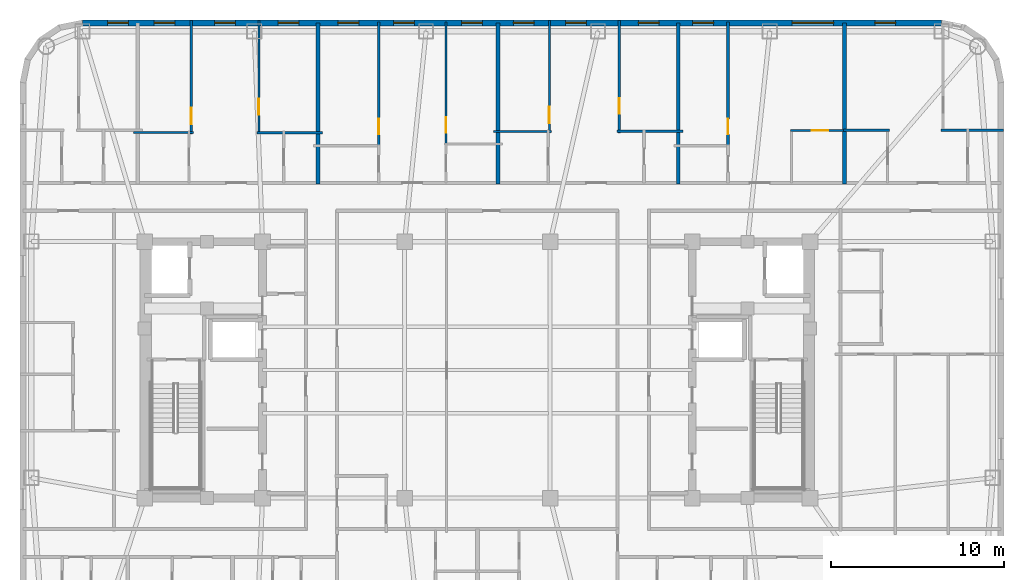
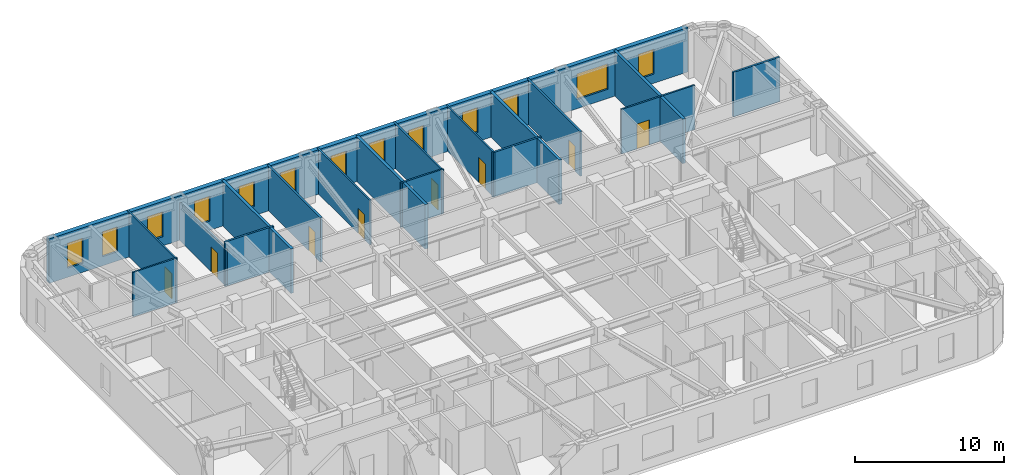
# One storey, part 8 of 11: 19 walls, 13 windows, 8 doors, 21 openings.
"""IFC4 building model written with IfcOpenShell, lengths in metres."""

from ifc_helpers import new_model, si_unit, direction, frame, frame_2d, origin, place, context, subcontext, project, spatial, rectangle, extrude, material, layer, layer_set, type_object, element, fill, save


model = new_model("IFC4")

# Units and contexts
model_context = context("Model", 3, precision=1e-05, world=origin(), true_north=direction((0.0, 1.0)))
body_context = subcontext(model_context, "Body", "Model", "MODEL_VIEW")
ifc_project = project(units=[si_unit("LENGTHUNIT", "METRE"), si_unit("AREAUNIT", "SQUARE_METRE"), si_unit("VOLUMEUNIT", "CUBIC_METRE"), si_unit("PLANEANGLEUNIT", "RADIAN"), si_unit("MASSUNIT", "GRAM", prefix="KILO")], contexts=[model_context])

# Site, building, storey
site_placement = place(None, origin())
site = spatial("IfcSite", under=ifc_project, at=site_placement, CompositionType="ELEMENT")
building_placement = place(site_placement, origin())
building = spatial("IfcBuilding", under=site, at=building_placement, Name="Voryun Gate Residences", CompositionType="ELEMENT")
storey_placement = place(building_placement, frame((0.0, 0.0, 223.60009765625)))
storey = spatial("IfcBuildingStorey", under=building, at=storey_placement, Name="L55", CompositionType="ELEMENT", Elevation=223.60009765625)

# Wall, openings, windows
ifc_material_1 = material(Name="Charcoal terracotta masonry", Category="masonry")
ifc_layer_1 = layer(ifc_material_1, 0.340087890625, Name="W_EXT_TERRACOTTA_340")
ifc_layer_set_1 = layer_set([ifc_layer_1], Name="Charcoal terracotta masonry")
wall_type_1 = type_object("IfcWallType", Name="W_EXT_TERRACOTTA_340", PredefinedType="ELEMENTEDWALL", material=ifc_layer_set_1)
wall_1_placement = place(storey_placement, frame((-22.783203125, 20.030029296875, 0.0), z_axis=(0.0, 0.0, 1.0), x_axis=(1.0, 0.0, 0.0)))
wall_1 = element("IfcWall", 1, at=wall_1_placement, inside=storey, type_object=wall_type_1, Name="Exterior wall WEXT-L55-11", PredefinedType="ELEMENTEDWALL", context=body_context, shape_type="SweptSolid", body=[
    extrude(rectangle(XDim=49.56640625, YDim=0.340087890625, at=frame_2d((24.783203125, 0.0))), origin(), (0.0, 0.0, 1.0), 3.64990234375),
])
opening_1_placement = place(wall_1_placement, frame((40.95556640625, 0.0, 0.75)))
opening_1 = element("IfcOpeningElement", 2, at=opening_1_placement, cuts=wall_1, Name="Opening WN2", PredefinedType="OPENING", context=body_context, shape_type="SweptSolid", body=[
    extrude(rectangle(XDim=2.39990234375, YDim=2.10009765625, at=frame_2d((1.199951171875, 1.050048828125))), frame((0.0, 0.179931640625, 0.0), z_axis=(0.0, -1.0, 0.0), x_axis=(1.0, 0.0, 0.0)), (0.0, 0.0, 1.0), 0.360107421875),
])
opening_2_placement = place(wall_1_placement, frame((1.4365234375, 0.0, 0.75)))
opening_2 = element("IfcOpeningElement", 3, at=opening_2_placement, cuts=wall_1, Name="Opening WN6", PredefinedType="OPENING", context=body_context, shape_type="SweptSolid", body=[
    extrude(rectangle(XDim=1.199951171875, YDim=2.050048828125, at=frame_2d((0.60009765625, 1.02490234375))), frame((0.0, 0.179931640625, 0.0), z_axis=(0.0, -1.0, 0.0), x_axis=(1.0, 0.0, 0.0)), (0.0, 0.0, 1.0), 0.360107421875),
])
opening_3_placement = place(wall_1_placement, frame((7.619384765625, 0.0, 0.75)))
opening_3 = element("IfcOpeningElement", 4, at=opening_3_placement, cuts=wall_1, Name="Opening WN6", PredefinedType="OPENING", context=body_context, shape_type="SweptSolid", body=[
    extrude(rectangle(XDim=1.199951171875, YDim=2.050048828125, at=frame_2d((0.60009765625, 1.02490234375))), frame((0.0, 0.179931640625, 0.0), z_axis=(0.0, -1.0, 0.0), x_axis=(1.0, 0.0, 0.0)), (0.0, 0.0, 1.0), 0.360107421875),
])
opening_4_placement = place(wall_1_placement, frame((4.124267578125, 0.0, 0.75)))
opening_4 = element("IfcOpeningElement", 5, at=opening_4_placement, cuts=wall_1, Name="Opening WN6", PredefinedType="OPENING", context=body_context, shape_type="SweptSolid", body=[
    extrude(rectangle(XDim=1.199951171875, YDim=2.050048828125, at=frame_2d((0.60009765625, 1.02490234375))), frame((0.0, 0.179931640625, 0.0), z_axis=(0.0, -1.0, 0.0), x_axis=(1.0, 0.0, 0.0)), (0.0, 0.0, 1.0), 0.360107421875),
])
opening_5_placement = place(wall_1_placement, frame((11.2783203125, 0.0, 0.75)))
opening_5 = element("IfcOpeningElement", 6, at=opening_5_placement, cuts=wall_1, Name="Opening WN6", PredefinedType="OPENING", context=body_context, shape_type="SweptSolid", body=[
    extrude(rectangle(XDim=1.199951171875, YDim=2.050048828125, at=frame_2d((0.60009765625, 1.02490234375))), frame((0.0, 0.179931640625, 0.0), z_axis=(0.0, -1.0, 0.0), x_axis=(1.0, 0.0, 0.0)), (0.0, 0.0, 1.0), 0.360107421875),
])
opening_6_placement = place(wall_1_placement, frame((17.953369140625, 0.0, 0.75)))
opening_6 = element("IfcOpeningElement", 7, at=opening_6_placement, cuts=wall_1, Name="Opening WN6", PredefinedType="OPENING", context=body_context, shape_type="SweptSolid", body=[
    extrude(rectangle(XDim=1.199951171875, YDim=2.050048828125, at=frame_2d((0.60009765625, 1.02490234375))), frame((0.0, 0.179931640625, 0.0), z_axis=(0.0, -1.0, 0.0), x_axis=(1.0, 0.0, 0.0)), (0.0, 0.0, 1.0), 0.360107421875),
])
opening_7_placement = place(wall_1_placement, frame((14.73828125, 0.0, 0.75)))
opening_7 = element("IfcOpeningElement", 8, at=opening_7_placement, cuts=wall_1, Name="Opening WN6", PredefinedType="OPENING", context=body_context, shape_type="SweptSolid", body=[
    extrude(rectangle(XDim=1.199951171875, YDim=2.050048828125, at=frame_2d((0.60009765625, 1.02490234375))), frame((0.0, 0.179931640625, 0.0), z_axis=(0.0, -1.0, 0.0), x_axis=(1.0, 0.0, 0.0)), (0.0, 0.0, 1.0), 0.360107421875),
])
opening_8_placement = place(wall_1_placement, frame((21.87841796875, 0.0, 0.75)))
opening_8 = element("IfcOpeningElement", 9, at=opening_8_placement, cuts=wall_1, Name="Opening WN6", PredefinedType="OPENING", context=body_context, shape_type="SweptSolid", body=[
    extrude(rectangle(XDim=1.199951171875, YDim=2.050048828125, at=frame_2d((0.60009765625, 1.02490234375))), frame((0.0, 0.179931640625, 0.0), z_axis=(0.0, -1.0, 0.0), x_axis=(1.0, 0.0, 0.0)), (0.0, 0.0, 1.0), 0.360107421875),
])
opening_9_placement = place(wall_1_placement, frame((27.877685546875, 0.0, 0.75)))
opening_9 = element("IfcOpeningElement", 10, at=opening_9_placement, cuts=wall_1, Name="Opening WN6", PredefinedType="OPENING", context=body_context, shape_type="SweptSolid", body=[
    extrude(rectangle(XDim=1.199951171875, YDim=2.050048828125, at=frame_2d((0.60009765625, 1.02490234375))), frame((0.0, 0.179931640625, 0.0), z_axis=(0.0, -1.0, 0.0), x_axis=(1.0, 0.0, 0.0)), (0.0, 0.0, 1.0), 0.360107421875),
])
opening_10_placement = place(wall_1_placement, frame((24.86279296875, 0.0, 0.75)))
opening_10 = element("IfcOpeningElement", 11, at=opening_10_placement, cuts=wall_1, Name="Opening WN6", PredefinedType="OPENING", context=body_context, shape_type="SweptSolid", body=[
    extrude(rectangle(XDim=1.199951171875, YDim=2.050048828125, at=frame_2d((0.60009765625, 1.02490234375))), frame((0.0, 0.179931640625, 0.0), z_axis=(0.0, -1.0, 0.0), x_axis=(1.0, 0.0, 0.0)), (0.0, 0.0, 1.0), 0.360107421875),
])
opening_11_placement = place(wall_1_placement, frame((32.078369140625, 0.0, 0.75)))
opening_11 = element("IfcOpeningElement", 12, at=opening_11_placement, cuts=wall_1, Name="Opening WN6", PredefinedType="OPENING", context=body_context, shape_type="SweptSolid", body=[
    extrude(rectangle(XDim=1.199951171875, YDim=2.050048828125, at=frame_2d((0.60009765625, 1.02490234375))), frame((0.0, 0.179931640625, 0.0), z_axis=(0.0, -1.0, 0.0), x_axis=(1.0, 0.0, 0.0)), (0.0, 0.0, 1.0), 0.360107421875),
])
opening_12_placement = place(wall_1_placement, frame((35.21630859375, 0.0, 0.75)))
opening_12 = element("IfcOpeningElement", 13, at=opening_12_placement, cuts=wall_1, Name="Opening WN6", PredefinedType="OPENING", context=body_context, shape_type="SweptSolid", body=[
    extrude(rectangle(XDim=1.199951171875, YDim=2.050048828125, at=frame_2d((0.60009765625, 1.02490234375))), frame((0.0, 0.179931640625, 0.0), z_axis=(0.0, -1.0, 0.0), x_axis=(1.0, 0.0, 0.0)), (0.0, 0.0, 1.0), 0.360107421875),
])
opening_13_placement = place(wall_1_placement, frame((45.72998046875, 0.0, 0.75)))
opening_13 = element("IfcOpeningElement", 14, at=opening_13_placement, cuts=wall_1, Name="Opening WN6", PredefinedType="OPENING", context=body_context, shape_type="SweptSolid", body=[
    extrude(rectangle(XDim=1.199951171875, YDim=2.050048828125, at=frame_2d((0.60009765625, 1.02490234375))), frame((0.0, 0.179931640625, 0.0), z_axis=(0.0, -1.0, 0.0), x_axis=(1.0, 0.0, 0.0)), (0.0, 0.0, 1.0), 0.360107421875),
])
ifc_material_2 = material(Name="Laminated low-E glass", Category="glass")
window_type_1 = type_object("IfcWindowType", Name="WN_POD_SLOT_1200", PartitioningType="SINGLE_PANEL", PredefinedType="WINDOW", material=ifc_material_2)
window_1_placement = place(opening_2_placement, origin())
window_1 = element("IfcWindow", 15, at=window_1_placement, inside=storey, type_object=window_type_1, Name="Window WN-L55-DWFIX-02", OverallHeight=2.050048828125, OverallWidth=1.199951171875, PartitioningType="SINGLE_PANEL", PredefinedType="WINDOW", context=body_context, shape_type="SweptSolid", body=[
    extrude(rectangle(XDim=1.199951171875, YDim=2.050048828125, at=frame_2d((0.60009765625, 1.02490234375))), frame((0.0, 0.030029296875, 0.0), z_axis=(0.0, -1.0, 0.0), x_axis=(1.0, 0.0, 0.0)), (0.0, 0.0, 1.0), 0.06005859375),
])
fill(opening_2, window_1)
window_2_placement = place(opening_3_placement, origin())
window_2 = element("IfcWindow", 16, at=window_2_placement, inside=storey, type_object=window_type_1, Name="Window WN-L55-DWFIX-03", OverallHeight=2.050048828125, OverallWidth=1.199951171875, PartitioningType="SINGLE_PANEL", PredefinedType="WINDOW", context=body_context, shape_type="SweptSolid", body=[
    extrude(rectangle(XDim=1.199951171875, YDim=2.050048828125, at=frame_2d((0.60009765625, 1.02490234375))), frame((0.0, 0.030029296875, 0.0), z_axis=(0.0, -1.0, 0.0), x_axis=(1.0, 0.0, 0.0)), (0.0, 0.0, 1.0), 0.06005859375),
])
fill(opening_3, window_2)
window_3_placement = place(opening_4_placement, origin())
window_3 = element("IfcWindow", 17, at=window_3_placement, inside=storey, type_object=window_type_1, Name="Window WN-L55-DWFIX-04", OverallHeight=2.050048828125, OverallWidth=1.199951171875, PartitioningType="SINGLE_PANEL", PredefinedType="WINDOW", context=body_context, shape_type="SweptSolid", body=[
    extrude(rectangle(XDim=1.199951171875, YDim=2.050048828125, at=frame_2d((0.60009765625, 1.02490234375))), frame((0.0, 0.030029296875, 0.0), z_axis=(0.0, -1.0, 0.0), x_axis=(1.0, 0.0, 0.0)), (0.0, 0.0, 1.0), 0.06005859375),
])
fill(opening_4, window_3)
window_4_placement = place(opening_5_placement, origin())
window_4 = element("IfcWindow", 18, at=window_4_placement, inside=storey, type_object=window_type_1, Name="Window WN-L55-DWFIX-05", OverallHeight=2.050048828125, OverallWidth=1.199951171875, PartitioningType="SINGLE_PANEL", PredefinedType="WINDOW", context=body_context, shape_type="SweptSolid", body=[
    extrude(rectangle(XDim=1.199951171875, YDim=2.050048828125, at=frame_2d((0.60009765625, 1.02490234375))), frame((0.0, 0.030029296875, 0.0), z_axis=(0.0, -1.0, 0.0), x_axis=(1.0, 0.0, 0.0)), (0.0, 0.0, 1.0), 0.06005859375),
])
fill(opening_5, window_4)
window_5_placement = place(opening_6_placement, origin())
window_5 = element("IfcWindow", 19, at=window_5_placement, inside=storey, type_object=window_type_1, Name="Window WN-L55-DWFIX-06", OverallHeight=2.050048828125, OverallWidth=1.199951171875, PartitioningType="SINGLE_PANEL", PredefinedType="WINDOW", context=body_context, shape_type="SweptSolid", body=[
    extrude(rectangle(XDim=1.199951171875, YDim=2.050048828125, at=frame_2d((0.60009765625, 1.02490234375))), frame((0.0, 0.030029296875, 0.0), z_axis=(0.0, -1.0, 0.0), x_axis=(1.0, 0.0, 0.0)), (0.0, 0.0, 1.0), 0.06005859375),
])
fill(opening_6, window_5)
window_6_placement = place(opening_7_placement, origin())
window_6 = element("IfcWindow", 20, at=window_6_placement, inside=storey, type_object=window_type_1, Name="Window WN-L55-DWFIX-07", OverallHeight=2.050048828125, OverallWidth=1.199951171875, PartitioningType="SINGLE_PANEL", PredefinedType="WINDOW", context=body_context, shape_type="SweptSolid", body=[
    extrude(rectangle(XDim=1.199951171875, YDim=2.050048828125, at=frame_2d((0.60009765625, 1.02490234375))), frame((0.0, 0.030029296875, 0.0), z_axis=(0.0, -1.0, 0.0), x_axis=(1.0, 0.0, 0.0)), (0.0, 0.0, 1.0), 0.06005859375),
])
fill(opening_7, window_6)
window_7_placement = place(opening_8_placement, origin())
window_7 = element("IfcWindow", 21, at=window_7_placement, inside=storey, type_object=window_type_1, Name="Window WN-L55-DWFIX-08", OverallHeight=2.050048828125, OverallWidth=1.199951171875, PartitioningType="SINGLE_PANEL", PredefinedType="WINDOW", context=body_context, shape_type="SweptSolid", body=[
    extrude(rectangle(XDim=1.199951171875, YDim=2.050048828125, at=frame_2d((0.60009765625, 1.02490234375))), frame((0.0, 0.030029296875, 0.0), z_axis=(0.0, -1.0, 0.0), x_axis=(1.0, 0.0, 0.0)), (0.0, 0.0, 1.0), 0.06005859375),
])
fill(opening_8, window_7)
window_8_placement = place(opening_9_placement, origin())
window_8 = element("IfcWindow", 22, at=window_8_placement, inside=storey, type_object=window_type_1, Name="Window WN-L55-DWFIX-09", OverallHeight=2.050048828125, OverallWidth=1.199951171875, PartitioningType="SINGLE_PANEL", PredefinedType="WINDOW", context=body_context, shape_type="SweptSolid", body=[
    extrude(rectangle(XDim=1.199951171875, YDim=2.050048828125, at=frame_2d((0.60009765625, 1.02490234375))), frame((0.0, 0.030029296875, 0.0), z_axis=(0.0, -1.0, 0.0), x_axis=(1.0, 0.0, 0.0)), (0.0, 0.0, 1.0), 0.06005859375),
])
fill(opening_9, window_8)
window_9_placement = place(opening_10_placement, origin())
window_9 = element("IfcWindow", 23, at=window_9_placement, inside=storey, type_object=window_type_1, Name="Window WN-L55-DWFIX-10", OverallHeight=2.050048828125, OverallWidth=1.199951171875, PartitioningType="SINGLE_PANEL", PredefinedType="WINDOW", context=body_context, shape_type="SweptSolid", body=[
    extrude(rectangle(XDim=1.199951171875, YDim=2.050048828125, at=frame_2d((0.60009765625, 1.02490234375))), frame((0.0, 0.030029296875, 0.0), z_axis=(0.0, -1.0, 0.0), x_axis=(1.0, 0.0, 0.0)), (0.0, 0.0, 1.0), 0.06005859375),
])
fill(opening_10, window_9)
window_10_placement = place(opening_11_placement, origin())
window_10 = element("IfcWindow", 24, at=window_10_placement, inside=storey, type_object=window_type_1, Name="Window WN-L55-DWFIX-11", OverallHeight=2.050048828125, OverallWidth=1.199951171875, PartitioningType="SINGLE_PANEL", PredefinedType="WINDOW", context=body_context, shape_type="SweptSolid", body=[
    extrude(rectangle(XDim=1.199951171875, YDim=2.050048828125, at=frame_2d((0.60009765625, 1.02490234375))), frame((0.0, 0.030029296875, 0.0), z_axis=(0.0, -1.0, 0.0), x_axis=(1.0, 0.0, 0.0)), (0.0, 0.0, 1.0), 0.06005859375),
])
fill(opening_11, window_10)
window_11_placement = place(opening_12_placement, origin())
window_11 = element("IfcWindow", 25, at=window_11_placement, inside=storey, type_object=window_type_1, Name="Window WN-L55-DWFIX-12", OverallHeight=2.050048828125, OverallWidth=1.199951171875, PartitioningType="SINGLE_PANEL", PredefinedType="WINDOW", context=body_context, shape_type="SweptSolid", body=[
    extrude(rectangle(XDim=1.199951171875, YDim=2.050048828125, at=frame_2d((0.60009765625, 1.02490234375))), frame((0.0, 0.030029296875, 0.0), z_axis=(0.0, -1.0, 0.0), x_axis=(1.0, 0.0, 0.0)), (0.0, 0.0, 1.0), 0.06005859375),
])
fill(opening_12, window_11)
window_12_placement = place(opening_13_placement, origin())
window_12 = element("IfcWindow", 26, at=window_12_placement, inside=storey, type_object=window_type_1, Name="Window WN-L55-DWFIX-13", OverallHeight=2.050048828125, OverallWidth=1.199951171875, PartitioningType="SINGLE_PANEL", PredefinedType="WINDOW", context=body_context, shape_type="SweptSolid", body=[
    extrude(rectangle(XDim=1.199951171875, YDim=2.050048828125, at=frame_2d((0.60009765625, 1.02490234375))), frame((0.0, 0.030029296875, 0.0), z_axis=(0.0, -1.0, 0.0), x_axis=(1.0, 0.0, 0.0)), (0.0, 0.0, 1.0), 0.06005859375),
])
fill(opening_13, window_12)
ifc_material_3 = material(Name="Laminated low-E glass", Category="glass")
window_type_2 = type_object("IfcWindowType", Name="WN_RES_WIDE_2400", PartitioningType="SINGLE_PANEL", PredefinedType="WINDOW", material=ifc_material_3)
window_13_placement = place(opening_1_placement, origin())
window_13 = element("IfcWindow", 27, at=window_13_placement, inside=storey, type_object=window_type_2, Name="Window WN-WEXT-L55-11-03", OverallHeight=2.10009765625, OverallWidth=2.39990234375, PartitioningType="SINGLE_PANEL", PredefinedType="WINDOW", context=body_context, shape_type="SweptSolid", body=[
    extrude(rectangle(XDim=2.39990234375, YDim=2.10009765625, at=frame_2d((1.199951171875, 1.050048828125))), frame((0.0, 0.030029296875, 0.0), z_axis=(0.0, -1.0, 0.0), x_axis=(1.0, 0.0, 0.0)), (0.0, 0.0, 1.0), 0.06005859375),
])
fill(opening_1, window_13)

# Walls
ifc_material_4 = material(Name="Concrete C40/50", Category="concrete")
ifc_layer_2 = layer(ifc_material_4, 0.219970703125, Name="W_PARTY_ACOUSTIC_220")
ifc_layer_set_2 = layer_set([ifc_layer_2], Name="Concrete C40/50")
wall_type_2 = type_object("IfcWallType", Name="W_PARTY_ACOUSTIC_220", PredefinedType="PARTITIONING", material=ifc_layer_set_2)
for number, where, z_axis, x_axis, name in (
    (28, (-9.199951171875, 10.719970703125, 0.0), (0.0, 0.0, 1.0), (0.0, 1.0, 0.0), "Partition wall WP-L55-NPTY-2"),
    (29, (1.199951171875, 10.719970703125, 0.0), (0.0, 0.0, 1.0), (0.0, 1.0, 0.0), "Partition wall WP-L55-NPTY-3"),
    (30, (11.60009765625, 10.719970703125, 0.0), (0.0, 0.0, 1.0), (0.0, 1.0, 0.0), "Partition wall WP-L55-NPTY-4"),
    (31, (21.199951171875, 10.719970703125, 0.0), (0.0, 0.0, 1.0), (0.0, 1.0, 0.0), "Partition wall WP-L55-NPTY-5"),
):
    element("IfcWall", number, at=place(storey_placement, frame(where, z_axis=z_axis, x_axis=x_axis)), inside=storey, type_object=wall_type_2, Name=name, PredefinedType="PARTITIONING", context=body_context, shape_type="SweptSolid", body=[
        extrude(rectangle(XDim=9.31005859375, YDim=0.219970703125, at=frame_2d((4.655029296875, 0.0))), origin(), (0.0, 0.0, 1.0), 3.64990234375),
    ])

# Wall, opening, door
ifc_material_5 = material(Name="Gypsum acoustic partition")
ifc_layer_3 = layer(ifc_material_5, 0.125, Name="W_UNIT_PART_125")
ifc_layer_set_3 = layer_set([ifc_layer_3], Name="Gypsum acoustic partition")
wall_type_3 = type_object("IfcWallType", Name="W_UNIT_PART_125", PredefinedType="PARTITIONING", material=ifc_layer_set_3)
wall_2_placement = place(storey_placement, frame((-16.51806640625, 13.6201171875, 0.0), z_axis=(0.0, 0.0, 1.0), x_axis=(0.0, 1.0, 0.0)))
wall_2 = element("IfcWall", 32, at=wall_2_placement, inside=storey, type_object=wall_type_3, Name="Partition wall WP-L55-N2-OVL", PredefinedType="PARTITIONING", context=body_context, shape_type="SweptSolid", body=[
    extrude(rectangle(XDim=6.559814453125, YDim=0.125, at=frame_2d((3.27978515625, 0.0))), origin(), (0.0, 0.0, 1.0), 3.64990234375),
])
opening_14_placement = place(wall_2_placement, frame((0.57470703125, 0.0, 0.0)))
opening_14 = element("IfcOpeningElement", 33, at=opening_14_placement, cuts=wall_2, Name="Opening D-INT-1", PredefinedType="OPENING", context=body_context, shape_type="SweptSolid", body=[
    extrude(rectangle(XDim=0.949951171875, YDim=2.050048828125, at=frame_2d((0.47509765625, 1.02490234375))), frame((0.0, 0.072509765625, 0.0), z_axis=(0.0, -1.0, 0.0), x_axis=(1.0, 0.0, 0.0)), (0.0, 0.0, 1.0), 0.14501953125),
])
ifc_material_6 = material(Name="Architectural oak veneer")
door_type_1 = type_object("IfcDoorType", Name="DR_INT_ROOM_950", OperationType="NOTDEFINED", PredefinedType="DOOR", material=ifc_material_6)
door_1_placement = place(opening_14_placement, origin())
door_1 = element("IfcDoor", 34, at=door_1_placement, inside=storey, type_object=door_type_1, Name="Door DR-L55-N2-DB2", OperationType="SINGLE_SWING_LEFT", OverallHeight=2.050048828125, OverallWidth=0.949951171875, PredefinedType="DOOR", context=body_context, shape_type="SweptSolid", body=[
    extrude(rectangle(XDim=0.949951171875, YDim=2.050048828125, at=frame_2d((0.47509765625, 1.02490234375))), frame((0.0, 0.02490234375, 0.0), z_axis=(0.0, -1.0, 0.0), x_axis=(1.0, 0.0, 0.0)), (0.0, 0.0, 1.0), 0.050048828125),
])
fill(opening_14, door_1)

wall_3_placement = place(storey_placement, frame((-12.610107421875, 13.6201171875, 0.0), z_axis=(0.0, 0.0, 1.0), x_axis=(0.0, 1.0, 0.0)))
wall_3 = element("IfcWall", 35, at=wall_3_placement, inside=storey, type_object=wall_type_3, Name="Partition wall WP-L55-N2-OVR", PredefinedType="PARTITIONING", context=body_context, shape_type="SweptSolid", body=[
    extrude(rectangle(XDim=6.559814453125, YDim=0.125, at=frame_2d((3.27978515625, 0.0))), origin(), (0.0, 0.0, 1.0), 3.08984375),
])
opening_15_placement = place(wall_3_placement, frame((1.12451171875, 0.0, 0.0)))
opening_15 = element("IfcOpeningElement", 36, at=opening_15_placement, cuts=wall_3, Name="Opening D-INT-2", PredefinedType="OPENING", context=body_context, shape_type="SweptSolid", body=[
    extrude(rectangle(XDim=0.89990234375, YDim=2.050048828125, at=frame_2d((0.449951171875, 1.02490234375))), frame((0.0, 0.072509765625, 0.0), z_axis=(0.0, -1.0, 0.0), x_axis=(1.0, 0.0, 0.0)), (0.0, 0.0, 1.0), 0.14501953125),
])
ifc_material_7 = material(Name="Architectural oak veneer")
door_type_2 = type_object("IfcDoorType", Name="DR_INT_BATH_900", OperationType="NOTDEFINED", PredefinedType="DOOR", material=ifc_material_7)
door_2_placement = place(opening_15_placement, origin())
door_2 = element("IfcDoor", 37, at=door_2_placement, inside=storey, type_object=door_type_2, Name="Door DR-L55-N2-DMB", OperationType="SINGLE_SWING_RIGHT", OverallHeight=2.050048828125, OverallWidth=0.89990234375, PredefinedType="DOOR", context=body_context, shape_type="SweptSolid", body=[
    extrude(rectangle(XDim=0.89990234375, YDim=2.050048828125, at=frame_2d((0.449951171875, 1.02490234375))), frame((0.0, 0.02490234375, 0.0), z_axis=(0.0, -1.0, 0.0), x_axis=(1.0, 0.0, 0.0)), (0.0, 0.0, 1.0), 0.050048828125),
])
fill(opening_15, door_2)

# Wall
wall_4_placement = place(storey_placement, frame((-19.860107421875, 13.699951171875, 0.0), z_axis=(0.0, 0.0, 1.0), x_axis=(1.0, 0.0, 0.0)))
element("IfcWall", 38, at=wall_4_placement, inside=storey, type_object=wall_type_3, Name="Partition wall WP-L55-N2-HZK", PredefinedType="PARTITIONING", context=body_context, shape_type="SweptSolid", body=[
    extrude(rectangle(XDim=3.462158203125, YDim=0.125, at=frame_2d((1.73095703125, 0.0))), origin(), (0.0, 0.0, 1.0), 3.64990234375),
])

# Wall, opening, door
wall_5_placement = place(storey_placement, frame((-1.81005859375, 13.0, 0.0), z_axis=(0.0, 0.0, 1.0), x_axis=(0.0, 1.0, 0.0)))
wall_5 = element("IfcWall", 39, at=wall_5_placement, inside=storey, type_object=wall_type_3, Name="Partition wall WP-L55-N3-RVX2", PredefinedType="PARTITIONING", context=body_context, shape_type="SweptSolid", body=[
    extrude(rectangle(XDim=7.076904296875, YDim=0.125, at=frame_2d((3.53857421875, 0.0))), origin(), (0.0, 0.0, 1.0), 3.64990234375),
])
opening_16_placement = place(wall_5_placement, frame((0.682373046875, 0.0, 0.0)))
opening_16 = element("IfcOpeningElement", 40, at=opening_16_placement, cuts=wall_5, Name="Opening D-INT-2", PredefinedType="OPENING", context=body_context, shape_type="SweptSolid", body=[
    extrude(rectangle(XDim=0.89990234375, YDim=2.050048828125, at=frame_2d((0.449951171875, 1.02490234375))), frame((0.0, 0.072509765625, 0.0), z_axis=(0.0, -1.0, 0.0), x_axis=(1.0, 0.0, 0.0)), (0.0, 0.0, 1.0), 0.14501953125),
])
door_3_placement = place(opening_16_placement, origin())
door_3 = element("IfcDoor", 41, at=door_3_placement, inside=storey, type_object=door_type_2, Name="Door DR-L55-N3-DB2", OperationType="SINGLE_SWING_LEFT", OverallHeight=2.050048828125, OverallWidth=0.89990234375, PredefinedType="DOOR", context=body_context, shape_type="SweptSolid", body=[
    extrude(rectangle(XDim=0.89990234375, YDim=2.050048828125, at=frame_2d((0.449951171875, 1.02490234375))), frame((0.0, 0.02490234375, 0.0), z_axis=(0.0, -1.0, 0.0), x_axis=(1.0, 0.0, 0.0)), (0.0, 0.0, 1.0), 0.050048828125),
])
fill(opening_16, door_3)

wall_6_placement = place(storey_placement, frame((4.158935546875, 13.68896484375, 0.0), z_axis=(0.0, 0.0, 1.0), x_axis=(0.0, 1.0, 0.0)))
wall_6 = element("IfcWall", 42, at=wall_6_placement, inside=storey, type_object=wall_type_3, Name="Partition wall WP-L55-N4-OVL", PredefinedType="PARTITIONING", context=body_context, shape_type="SweptSolid", body=[
    extrude(rectangle(XDim=6.490966796875, YDim=0.125, at=frame_2d((3.24560546875, 0.0))), origin(), (0.0, 0.0, 1.0), 3.64990234375),
])
opening_17_placement = place(wall_6_placement, frame((0.563720703125, 0.0, 0.0)))
opening_17 = element("IfcOpeningElement", 43, at=opening_17_placement, cuts=wall_6, Name="Opening D-INT-1", PredefinedType="OPENING", context=body_context, shape_type="SweptSolid", body=[
    extrude(rectangle(XDim=0.949951171875, YDim=2.050048828125, at=frame_2d((0.47509765625, 1.02490234375))), frame((0.0, 0.072509765625, 0.0), z_axis=(0.0, -1.0, 0.0), x_axis=(1.0, 0.0, 0.0)), (0.0, 0.0, 1.0), 0.14501953125),
])
door_4_placement = place(opening_17_placement, origin())
door_4 = element("IfcDoor", 44, at=door_4_placement, inside=storey, type_object=door_type_1, Name="Door DR-L55-N4-DB2", OperationType="SINGLE_SWING_LEFT", OverallHeight=2.050048828125, OverallWidth=0.949951171875, PredefinedType="DOOR", context=body_context, shape_type="SweptSolid", body=[
    extrude(rectangle(XDim=0.949951171875, YDim=2.050048828125, at=frame_2d((0.47509765625, 1.02490234375))), frame((0.0, 0.02490234375, 0.0), z_axis=(0.0, -1.0, 0.0), x_axis=(1.0, 0.0, 0.0)), (0.0, 0.0, 1.0), 0.050048828125),
])
fill(opening_17, door_4)

wall_7_placement = place(storey_placement, frame((8.18994140625, 13.68896484375, 0.0), z_axis=(0.0, 0.0, 1.0), x_axis=(0.0, 1.0, 0.0)))
wall_7 = element("IfcWall", 45, at=wall_7_placement, inside=storey, type_object=wall_type_3, Name="Partition wall WP-L55-N4-OVR", PredefinedType="PARTITIONING", context=body_context, shape_type="SweptSolid", body=[
    extrude(rectangle(XDim=6.490966796875, YDim=0.125, at=frame_2d((3.24560546875, 0.0))), origin(), (0.0, 0.0, 1.0), 3.64990234375),
])
opening_18_placement = place(wall_7_placement, frame((1.10791015625, 0.0, 0.0)))
opening_18 = element("IfcOpeningElement", 46, at=opening_18_placement, cuts=wall_7, Name="Opening D-INT-2", PredefinedType="OPENING", context=body_context, shape_type="SweptSolid", body=[
    extrude(rectangle(XDim=0.89990234375, YDim=2.050048828125, at=frame_2d((0.449951171875, 1.02490234375))), frame((0.0, 0.072509765625, 0.0), z_axis=(0.0, -1.0, 0.0), x_axis=(1.0, 0.0, 0.0)), (0.0, 0.0, 1.0), 0.14501953125),
])
door_5_placement = place(opening_18_placement, origin())
door_5 = element("IfcDoor", 47, at=door_5_placement, inside=storey, type_object=door_type_2, Name="Door DR-L55-N4-DMB", OperationType="SINGLE_SWING_RIGHT", OverallHeight=2.050048828125, OverallWidth=0.89990234375, PredefinedType="DOOR", context=body_context, shape_type="SweptSolid", body=[
    extrude(rectangle(XDim=0.89990234375, YDim=2.050048828125, at=frame_2d((0.449951171875, 1.02490234375))), frame((0.0, 0.02490234375, 0.0), z_axis=(0.0, -1.0, 0.0), x_axis=(1.0, 0.0, 0.0)), (0.0, 0.0, 1.0), 0.050048828125),
])
fill(opening_18, door_5)

# Wall
wall_8_placement = place(storey_placement, frame((0.93994140625, 13.76904296875, 0.0), z_axis=(0.0, 0.0, 1.0), x_axis=(1.0, 0.0, 0.0)))
element("IfcWall", 48, at=wall_8_placement, inside=storey, type_object=wall_type_3, Name="Partition wall WP-L55-N4-HZK", PredefinedType="PARTITIONING", context=body_context, shape_type="SweptSolid", body=[
    extrude(rectangle(XDim=3.339111328125, YDim=0.125, at=frame_2d((1.66943359375, 0.0))), origin(), (0.0, 0.0, 1.0), 3.64990234375),
])

# Wall, opening, door
wall_9_placement = place(storey_placement, frame((18.076904296875, 13.820068359375, 0.0), z_axis=(0.0, 0.0, 1.0), x_axis=(1.0, 0.0, 0.0)))
wall_9 = element("IfcWall", 49, at=wall_9_placement, inside=storey, type_object=wall_type_3, Name="Partition wall WP-L55-N5-KHY", PredefinedType="PARTITIONING", context=body_context, shape_type="SweptSolid", body=[
    extrude(rectangle(XDim=3.185546875, YDim=0.125, at=frame_2d((1.5927734375, 0.0))), origin(), (0.0, 0.0, 1.0), 3.64990234375),
])
opening_19_placement = place(wall_9_placement, frame((1.216552734375, 0.0, 0.0)))
opening_19 = element("IfcOpeningElement", 50, at=opening_19_placement, cuts=wall_9, Name="Opening D-INT-1", PredefinedType="OPENING", context=body_context, shape_type="SweptSolid", body=[
    extrude(rectangle(XDim=0.949951171875, YDim=2.050048828125, at=frame_2d((0.47509765625, 1.02490234375))), frame((0.0, 0.072509765625, 0.0), z_axis=(0.0, -1.0, 0.0), x_axis=(1.0, 0.0, 0.0)), (0.0, 0.0, 1.0), 0.14501953125),
])
door_6_placement = place(opening_19_placement, origin())
door_6 = element("IfcDoor", 51, at=door_6_placement, inside=storey, type_object=door_type_1, Name="Door DR-L55-N5-DK", OperationType="SINGLE_SWING_LEFT", OverallHeight=2.050048828125, OverallWidth=0.949951171875, PredefinedType="DOOR", context=body_context, shape_type="SweptSolid", body=[
    extrude(rectangle(XDim=0.949951171875, YDim=2.050048828125, at=frame_2d((0.47509765625, 1.02490234375))), frame((0.0, 0.02490234375, 0.0), z_axis=(0.0, -1.0, 0.0), x_axis=(1.0, 0.0, 0.0)), (0.0, 0.0, 1.0), 0.050048828125),
])
fill(opening_19, door_6)

# Walls
wall_10_placement = place(storey_placement, frame((21.137451171875, 13.839111328125, 0.0), z_axis=(0.0, 0.0, 1.0), x_axis=(1.0, 0.0, 0.0)))
element("IfcWall", 52, at=wall_10_placement, inside=storey, type_object=wall_type_3, Name="Partition wall WP-L55-N6-HZK", PredefinedType="PARTITIONING", context=body_context, shape_type="SweptSolid", body=[
    extrude(rectangle(XDim=2.66650390625, YDim=0.125, at=frame_2d((1.333251953125, 0.0))), origin(), (0.0, 0.0, 1.0), 3.64990234375),
])
ifc_material_8 = material(Name="Gypsum moisture-resistant partition")
ifc_layer_4 = layer(ifc_material_8, 0.14990234375, Name="W_WET_PLUMB_150")
ifc_layer_set_4 = layer_set([ifc_layer_4], Name="Gypsum moisture-resistant partition")
wall_type_4 = type_object("IfcWallType", Name="W_WET_PLUMB_150", PredefinedType="PLUMBINGWALL", material=ifc_layer_set_4)
wall_11_placement = place(storey_placement, frame((-12.72998046875, 13.699951171875, 0.0), z_axis=(0.0, 0.0, 1.0), x_axis=(1.0, 0.0, 0.0)))
element("IfcWall", 53, at=wall_11_placement, inside=storey, type_object=wall_type_4, Name="Partition wall WP-L55-N2-HZB", PredefinedType="PLUMBINGWALL", context=body_context, shape_type="SweptSolid", body=[
    extrude(rectangle(XDim=3.7900390625, YDim=0.14990234375, at=frame_2d((1.89501953125, 0.0))), origin(), (0.0, 0.0, 1.0), 3.64990234375),
])

# Wall, opening, door
wall_12_placement = place(storey_placement, frame((-5.68994140625, 12.89990234375, 0.0), z_axis=(0.0, 0.0, 1.0), x_axis=(0.0, 1.0, 0.0)))
wall_12 = element("IfcWall", 54, at=wall_12_placement, inside=storey, type_object=wall_type_4, Name="Partition wall WP-L55-N3-LVX2", PredefinedType="PLUMBINGWALL", context=body_context, shape_type="SweptSolid", body=[
    extrude(rectangle(XDim=7.177001953125, YDim=0.14990234375, at=frame_2d((3.58837890625, 0.0))), origin(), (0.0, 0.0, 1.0), 3.64990234375),
])
opening_20_placement = place(wall_12_placement, frame((0.6982421875, 0.0, 0.0)))
opening_20 = element("IfcOpeningElement", 55, at=opening_20_placement, cuts=wall_12, Name="Opening D-INT-2", PredefinedType="OPENING", context=body_context, shape_type="SweptSolid", body=[
    extrude(rectangle(XDim=0.89990234375, YDim=2.050048828125, at=frame_2d((0.449951171875, 1.02490234375))), frame((0.0, 0.0849609375, 0.0), z_axis=(0.0, -1.0, 0.0), x_axis=(1.0, 0.0, 0.0)), (0.0, 0.0, 1.0), 0.169921875),
])
door_7_placement = place(opening_20_placement, origin())
door_7 = element("IfcDoor", 56, at=door_7_placement, inside=storey, type_object=door_type_2, Name="Door DR-L55-N3-DMB", OperationType="SINGLE_SWING_RIGHT", OverallHeight=2.050048828125, OverallWidth=0.89990234375, PredefinedType="DOOR", context=body_context, shape_type="SweptSolid", body=[
    extrude(rectangle(XDim=0.89990234375, YDim=2.050048828125, at=frame_2d((0.449951171875, 1.02490234375))), frame((0.0, 0.02490234375, 0.0), z_axis=(0.0, -1.0, 0.0), x_axis=(1.0, 0.0, 0.0)), (0.0, 0.0, 1.0), 0.050048828125),
])
fill(opening_20, door_7)

# Wall
wall_13_placement = place(storey_placement, frame((8.070068359375, 13.76904296875, 0.0), z_axis=(0.0, 0.0, 1.0), x_axis=(1.0, 0.0, 0.0)))
element("IfcWall", 57, at=wall_13_placement, inside=storey, type_object=wall_type_4, Name="Partition wall WP-L55-N4-HZB", PredefinedType="PLUMBINGWALL", context=body_context, shape_type="SweptSolid", body=[
    extrude(rectangle(XDim=3.7900390625, YDim=0.14990234375, at=frame_2d((1.89501953125, 0.0))), origin(), (0.0, 0.0, 1.0), 3.64990234375),
])

# Wall, opening, door
wall_14_placement = place(storey_placement, frame((14.466064453125, 12.89990234375, 0.0), z_axis=(0.0, 0.0, 1.0), x_axis=(0.0, 1.0, 0.0)))
wall_14 = element("IfcWall", 58, at=wall_14_placement, inside=storey, type_object=wall_type_4, Name="Partition wall WP-L55-N5-LVX2", PredefinedType="PLUMBINGWALL", context=body_context, shape_type="SweptSolid", body=[
    extrude(rectangle(XDim=7.177001953125, YDim=0.14990234375, at=frame_2d((3.58837890625, 0.0))), origin(), (0.0, 0.0, 1.0), 3.64990234375),
])
opening_21_placement = place(wall_14_placement, frame((0.6982421875, 0.0, 0.0)))
opening_21 = element("IfcOpeningElement", 59, at=opening_21_placement, cuts=wall_14, Name="Opening D-INT-2", PredefinedType="OPENING", context=body_context, shape_type="SweptSolid", body=[
    extrude(rectangle(XDim=0.89990234375, YDim=2.050048828125, at=frame_2d((0.449951171875, 1.02490234375))), frame((0.0, 0.0849609375, 0.0), z_axis=(0.0, -1.0, 0.0), x_axis=(1.0, 0.0, 0.0)), (0.0, 0.0, 1.0), 0.169921875),
])
door_8_placement = place(opening_21_placement, origin())
door_8 = element("IfcDoor", 60, at=door_8_placement, inside=storey, type_object=door_type_2, Name="Door DR-L55-N5-DMB", OperationType="SINGLE_SWING_RIGHT", OverallHeight=2.050048828125, OverallWidth=0.89990234375, PredefinedType="DOOR", context=body_context, shape_type="SweptSolid", body=[
    extrude(rectangle(XDim=0.89990234375, YDim=2.050048828125, at=frame_2d((0.449951171875, 1.02490234375))), frame((0.0, 0.02490234375, 0.0), z_axis=(0.0, -1.0, 0.0), x_axis=(1.0, 0.0, 0.0)), (0.0, 0.0, 1.0), 0.050048828125),
])
fill(opening_21, door_8)

# Wall
wall_15_placement = place(storey_placement, frame((26.76708984375, 13.839111328125, 0.0), z_axis=(0.0, 0.0, 1.0), x_axis=(1.0, 0.0, 0.0)))
element("IfcWall", 61, at=wall_15_placement, inside=storey, type_object=wall_type_4, Name="Partition wall WP-L55-N6-HZB", PredefinedType="PLUMBINGWALL", context=body_context, shape_type="SweptSolid", body=[
    extrude(rectangle(XDim=3.61279296875, YDim=0.14990234375, at=frame_2d((1.806396484375, 0.0))), origin(), (0.0, 0.0, 1.0), 3.64990234375),
])

save(model, "model.ifc")
